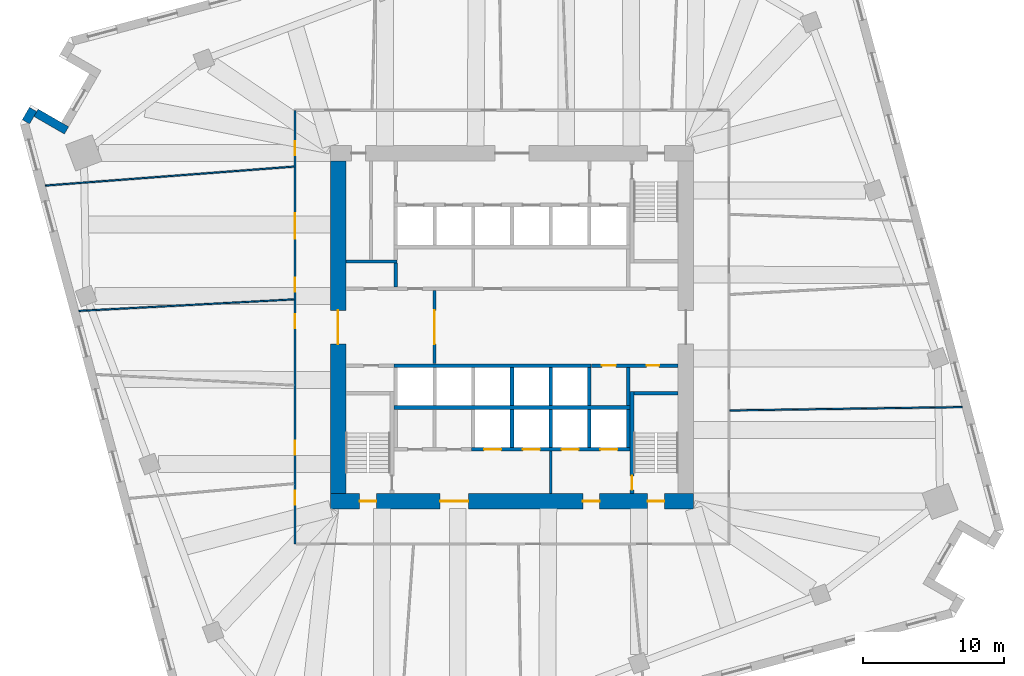
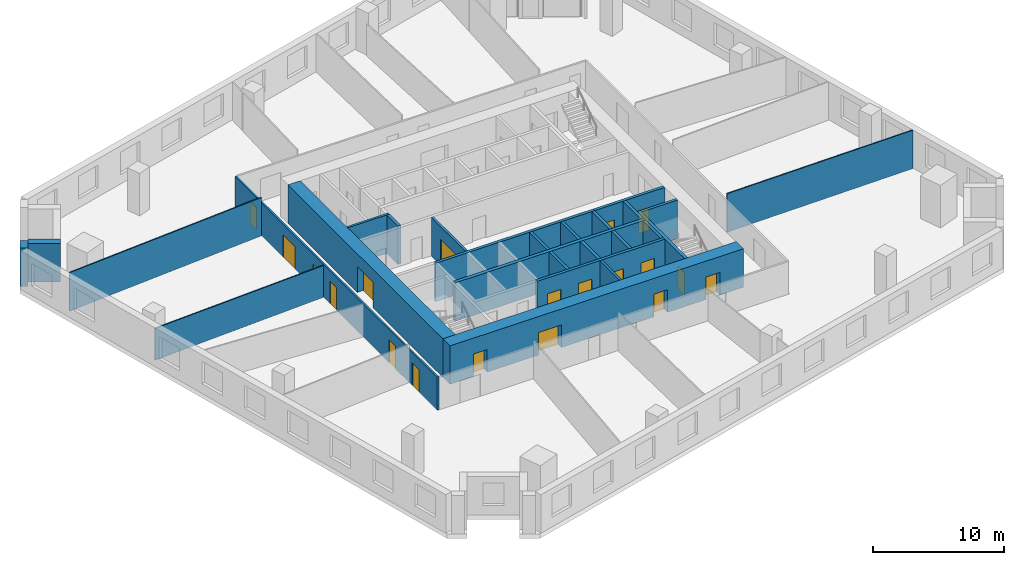
# One storey, part 7 of 13: 26 walls, 19 doors, 19 openings.
"""IFC4 building model written with IfcOpenShell, lengths in metres."""

from ifc_helpers import new_model, si_unit, direction, frame, frame_2d, origin, place, context, subcontext, project, spatial, rectangle, extrude, material, layer, layer_set, type_object, element, fill, save


model = new_model("IFC4")

# Units and contexts
model_context = context("Model", 3, precision=1e-05, world=origin(), true_north=direction((0.0, 1.0)))
body_context = subcontext(model_context, "Body", "Model", "MODEL_VIEW")
ifc_project = project(units=[si_unit("LENGTHUNIT", "METRE"), si_unit("AREAUNIT", "SQUARE_METRE"), si_unit("VOLUMEUNIT", "CUBIC_METRE"), si_unit("PLANEANGLEUNIT", "RADIAN"), si_unit("MASSUNIT", "GRAM", prefix="KILO")], contexts=[model_context])

# Site, building, storey
site_placement = place(None, origin())
site = spatial("IfcSite", under=ifc_project, at=site_placement, CompositionType="ELEMENT")
building_placement = place(site_placement, origin())
building = spatial("IfcBuilding", under=site, at=building_placement, Name="Dilmun Exchange Tower", CompositionType="ELEMENT")
storey_placement = place(building_placement, frame((0.0, 0.0, 86.10009765625)))
storey = spatial("IfcBuildingStorey", under=building, at=storey_placement, Name="L19", CompositionType="ELEMENT", Elevation=86.10009765625)

# Wall
ifc_material_1 = material(Name="Concrete C40/50", Category="concrete")
ifc_layer_1 = layer(ifc_material_1, 0.199951171875)
ifc_layer_set_1 = layer_set([ifc_layer_1], Name="Concrete C40/50")
wall_type_1 = type_object("IfcWallType", Name="Core partition wall 200", PredefinedType="PARTITIONING", material=ifc_layer_set_1)
wall_1_placement = place(storey_placement, frame((2.75, -11.794921875, 0.0), z_axis=(0.0, 0.0, 1.0), x_axis=(0.0, 1.0, 0.0)))
element("IfcWall", 1, at=wall_1_placement, inside=storey, type_object=wall_type_1, Name="L19 core partition wall 01", PredefinedType="PARTITIONING", context=body_context, shape_type="SweptSolid", body=[
    extrude(rectangle(XDim=2.989990234375, YDim=0.199951171875, at=frame_2d((1.4951171875, 0.0))), origin(), (0.0, 0.0, 1.0), 3.579833984375),
])

# Wall, opening, door
wall_2_placement = place(storey_placement, frame((-5.5, -2.594970703125, 0.0), z_axis=(0.0, 0.0, 1.0), x_axis=(0.0, 1.0, 0.0)))
wall_2 = element("IfcWall", 2, at=wall_2_placement, inside=storey, type_object=wall_type_1, Name="L19 core partition wall 08", PredefinedType="PARTITIONING", context=body_context, shape_type="SweptSolid", body=[
    extrude(rectangle(XDim=5.18994140625, YDim=0.199951171875, at=frame_2d((2.594970703125, 0.0))), origin(), (0.0, 0.0, 1.0), 3.579833984375),
])
opening_1_placement = place(wall_2_placement, frame((1.39501953125, 0.0, 0.0)))
opening_1 = element("IfcOpeningElement", 3, at=opening_1_placement, cuts=wall_2, Name="Opening CD1", PredefinedType="OPENING", context=body_context, shape_type="SweptSolid", body=[
    extrude(rectangle(XDim=2.39990234375, YDim=2.39990234375, at=frame_2d((1.199951171875, 1.199951171875))), frame((0.0, 0.10986328125, 0.0), z_axis=(0.0, -1.0, 0.0), x_axis=(1.0, 0.0, 0.0)), (0.0, 0.0, 1.0), 0.219970703125),
])
ifc_material_2 = material(Name="Fire-rated steel door set", Category="steel")
door_type_1 = type_object("IfcDoorType", Name="Core lobby door 2400x2400", OperationType="DOUBLE_DOOR_DOUBLE_SWING", PredefinedType="DOOR", material=ifc_material_2)
door_1_placement = place(opening_1_placement, origin())
door_1 = element("IfcDoor", 4, at=door_1_placement, inside=storey, type_object=door_type_1, Name="L19 door Lift lobby east", OperationType="DOUBLE_DOOR_DOUBLE_SWING", OverallHeight=2.39990234375, OverallWidth=2.39990234375, PredefinedType="DOOR", context=body_context, shape_type="SweptSolid", body=[
    extrude(rectangle(XDim=2.39990234375, YDim=2.39990234375, at=frame_2d((1.199951171875, 1.199951171875))), frame((0.0, 0.02490234375, 0.0), z_axis=(0.0, -1.0, 0.0), x_axis=(1.0, 0.0, 0.0)), (0.0, 0.0, 1.0), 0.050048828125),
])
fill(opening_1, door_1)

# Walls
wall_3_placement = place(storey_placement, frame((-11.794921875, 4.675048828125, 0.0), z_axis=(0.0, 0.0, 1.0), x_axis=(1.0, 0.0, 0.0)))
element("IfcWall", 5, at=wall_3_placement, inside=storey, type_object=wall_type_1, Name="L19 core partition wall 13", PredefinedType="PARTITIONING", context=body_context, shape_type="SweptSolid", body=[
    extrude(rectangle(XDim=3.64501953125, YDim=0.199951171875, at=frame_2d((1.822509765625, 0.0))), origin(), (0.0, 0.0, 1.0), 3.579833984375),
])
ifc_layer_2 = layer(ifc_material_1, 0.25)
ifc_layer_set_2 = layer_set([ifc_layer_2], Name="Concrete C40/50")
wall_type_2 = type_object("IfcWallType", Name="Core partition wall 250", PredefinedType="PARTITIONING", material=ifc_layer_set_2)
wall_4_placement = place(storey_placement, frame((8.25, -5.544921875, 0.0), z_axis=(0.0, 0.0, 1.0), x_axis=(0.0, 1.0, 0.0)))
element("IfcWall", 6, at=wall_4_placement, inside=storey, type_object=wall_type_2, Name="L19 core partition wall 05", PredefinedType="PARTITIONING", context=body_context, shape_type="SweptSolid", body=[
    extrude(rectangle(XDim=2.68994140625, YDim=0.25, at=frame_2d((1.344970703125, 0.0))), origin(), (0.0, 0.0, 1.0), 3.579833984375),
])

# Wall, openings, doors
wall_5_placement = place(storey_placement, frame((5.6298828125, -2.72509765625, 0.0), z_axis=(0.0, 0.0, 1.0), x_axis=(1.0, 0.0, 0.0)))
wall_5 = element("IfcWall", 7, at=wall_5_placement, inside=storey, type_object=wall_type_2, Name="L19 core partition wall 07", PredefinedType="PARTITIONING", context=body_context, shape_type="SweptSolid", body=[
    extrude(rectangle(XDim=6.1650390625, YDim=0.25, at=frame_2d((3.08251953125, 0.0))), origin(), (0.0, 0.0, 1.0), 3.579833984375),
])
opening_2_placement = place(wall_5_placement, frame((0.7451171875, 0.0, 0.0)))
opening_2 = element("IfcOpeningElement", 8, at=opening_2_placement, cuts=wall_5, Name="Opening CD4", PredefinedType="OPENING", context=body_context, shape_type="SweptSolid", body=[
    extrude(rectangle(XDim=1.0, YDim=2.10009765625, at=frame_2d((0.5, 1.050048828125))), frame((0.0, 0.135009765625, 0.0), z_axis=(0.0, -1.0, 0.0), x_axis=(1.0, 0.0, 0.0)), (0.0, 0.0, 1.0), 0.27001953125),
])
opening_3_placement = place(wall_5_placement, frame((3.919921875, 0.0, 0.0)))
opening_3 = element("IfcOpeningElement", 9, at=opening_3_placement, cuts=wall_5, Name="Opening CD6", PredefinedType="OPENING", context=body_context, shape_type="SweptSolid", body=[
    extrude(rectangle(XDim=0.89990234375, YDim=2.10009765625, at=frame_2d((0.449951171875, 1.050048828125))), frame((0.0, 0.135009765625, 0.0), z_axis=(0.0, -1.0, 0.0), x_axis=(1.0, 0.0, 0.0)), (0.0, 0.0, 1.0), 0.27001953125),
])
door_type_2 = type_object("IfcDoorType", Name="Core room door 1000x2100", OperationType="SINGLE_SWING_LEFT", PredefinedType="DOOR", material=ifc_material_2)
door_2_placement = place(opening_2_placement, origin())
door_2 = element("IfcDoor", 10, at=door_2_placement, inside=storey, type_object=door_type_2, Name="L19 door Cleaners' store", OperationType="SINGLE_SWING_RIGHT", OverallHeight=2.10009765625, OverallWidth=1.0, PredefinedType="DOOR", context=body_context, shape_type="SweptSolid", body=[
    extrude(rectangle(XDim=1.0, YDim=2.10009765625, at=frame_2d((0.5, 1.050048828125))), frame((0.0, 0.02490234375, 0.0), z_axis=(0.0, -1.0, 0.0), x_axis=(1.0, 0.0, 0.0)), (0.0, 0.0, 1.0), 0.050048828125),
])
fill(opening_2, door_2)
door_type_3 = type_object("IfcDoorType", Name="Core room door 900x2100", OperationType="SINGLE_SWING_LEFT", PredefinedType="DOOR", material=ifc_material_2)
door_3_placement = place(opening_3_placement, origin())
door_3 = element("IfcDoor", 11, at=door_3_placement, inside=storey, type_object=door_type_3, Name="L19 door Comms riser", OperationType="SINGLE_SWING_RIGHT", OverallHeight=2.10009765625, OverallWidth=0.89990234375, PredefinedType="DOOR", context=body_context, shape_type="SweptSolid", body=[
    extrude(rectangle(XDim=0.89990234375, YDim=2.10009765625, at=frame_2d((0.449951171875, 1.050048828125))), frame((0.0, 0.02490234375, 0.0), z_axis=(0.0, -1.0, 0.0), x_axis=(1.0, 0.0, 0.0)), (0.0, 0.0, 1.0), 0.050048828125),
])
fill(opening_3, door_3)

# Wall
wall_6_placement = place(storey_placement, frame((-8.25, 2.85498046875, 0.0), z_axis=(0.0, 0.0, 1.0), x_axis=(0.0, 1.0, 0.0)))
element("IfcWall", 12, at=wall_6_placement, inside=storey, type_object=wall_type_2, Name="L19 core partition wall 10", PredefinedType="PARTITIONING", context=body_context, shape_type="SweptSolid", body=[
    extrude(rectangle(XDim=1.715087890625, YDim=0.25, at=frame_2d((0.857421875, 0.0))), origin(), (0.0, 0.0, 1.0), 3.579833984375),
])

# Wall, openings, doors
ifc_material_3 = material(Name="Concrete C80/95", Category="concrete")
ifc_layer_3 = layer(ifc_material_3, 1.10009765625)
ifc_layer_set_3 = layer_set([ifc_layer_3], Name="Concrete C80/95")
wall_type_3 = type_object("IfcWallType", Name="Core shear wall 1100 Concrete C80/95", PredefinedType="SHEAR", material=ifc_layer_set_3)
wall_7_placement = place(storey_placement, frame((-12.89990234375, -12.35009765625, 0.0), z_axis=(0.0, 0.0, 1.0), x_axis=(1.0, 0.0, 0.0)))
wall_7 = element("IfcWall", 13, at=wall_7_placement, inside=storey, type_object=wall_type_3, Name="L19 core shear wall S", PredefinedType="SHEAR", context=body_context, shape_type="SweptSolid", body=[
    extrude(rectangle(XDim=25.7998046875, YDim=1.10009765625, at=frame_2d((12.89990234375, 0.0))), origin(), (0.0, 0.0, 1.0), 3.579833984375),
])
opening_4_placement = place(wall_7_placement, frame((7.800048828125, 0.0, 0.0)))
opening_4 = element("IfcOpeningElement", 14, at=opening_4_placement, cuts=wall_7, Name="Opening CD2", PredefinedType="OPENING", context=body_context, shape_type="SweptSolid", body=[
    extrude(rectangle(XDim=2.0, YDim=2.10009765625, at=frame_2d((1.0, 1.050048828125))), frame((0.0, 0.56005859375, 0.0), z_axis=(0.0, -1.0, 0.0), x_axis=(1.0, 0.0, 0.0)), (0.0, 0.0, 1.0), 1.1201171875),
])
opening_5_placement = place(wall_7_placement, frame((17.925048828125, 0.0, 0.0)))
opening_5 = element("IfcOpeningElement", 15, at=opening_5_placement, cuts=wall_7, Name="Opening CD3", PredefinedType="OPENING", context=body_context, shape_type="SweptSolid", body=[
    extrude(rectangle(XDim=1.199951171875, YDim=2.10009765625, at=frame_2d((0.60009765625, 1.050048828125))), frame((0.0, 0.56005859375, 0.0), z_axis=(0.0, -1.0, 0.0), x_axis=(1.0, 0.0, 0.0)), (0.0, 0.0, 1.0), 1.1201171875),
])
opening_6_placement = place(wall_7_placement, frame((2.074951171875, 0.0, 0.0)))
opening_6 = element("IfcOpeningElement", 16, at=opening_6_placement, cuts=wall_7, Name="Opening CD3", PredefinedType="OPENING", context=body_context, shape_type="SweptSolid", body=[
    extrude(rectangle(XDim=1.199951171875, YDim=2.10009765625, at=frame_2d((0.60009765625, 1.050048828125))), frame((0.0, 0.56005859375, 0.0), z_axis=(0.0, -1.0, 0.0), x_axis=(1.0, 0.0, 0.0)), (0.0, 0.0, 1.0), 1.1201171875),
])
opening_7_placement = place(wall_7_placement, frame((22.52490234375, 0.0, 0.0)))
opening_7 = element("IfcOpeningElement", 17, at=opening_7_placement, cuts=wall_7, Name="Opening CD3", PredefinedType="OPENING", context=body_context, shape_type="SweptSolid", body=[
    extrude(rectangle(XDim=1.199951171875, YDim=2.10009765625, at=frame_2d((0.60009765625, 1.050048828125))), frame((0.0, 0.56005859375, 0.0), z_axis=(0.0, -1.0, 0.0), x_axis=(1.0, 0.0, 0.0)), (0.0, 0.0, 1.0), 1.1201171875),
])
door_type_4 = type_object("IfcDoorType", Name="Core service door 2000x2100", OperationType="DOUBLE_DOOR_DOUBLE_SWING", PredefinedType="DOOR", material=ifc_material_2)
door_4_placement = place(opening_4_placement, origin())
door_4 = element("IfcDoor", 18, at=door_4_placement, inside=storey, type_object=door_type_4, Name="L19 door South service lobby", OperationType="SINGLE_SWING_LEFT", OverallHeight=2.10009765625, OverallWidth=2.0, PredefinedType="DOOR", context=body_context, shape_type="SweptSolid", body=[
    extrude(rectangle(XDim=2.0, YDim=2.10009765625, at=frame_2d((1.0, 1.050048828125))), frame((0.0, 0.02490234375, 0.0), z_axis=(0.0, -1.0, 0.0), x_axis=(1.0, 0.0, 0.0)), (0.0, 0.0, 1.0), 0.050048828125),
])
fill(opening_4, door_4)
door_type_5 = type_object("IfcDoorType", Name="Stair exit door 1200x2100", OperationType="SINGLE_SWING_LEFT", PredefinedType="DOOR", material=ifc_material_2)
door_5_placement = place(opening_5_placement, origin())
door_5 = element("IfcDoor", 19, at=door_5_placement, inside=storey, type_object=door_type_5, Name="L19 door Fire-fighting lobby", OperationType="SINGLE_SWING_LEFT", OverallHeight=2.10009765625, OverallWidth=1.199951171875, PredefinedType="DOOR", context=body_context, shape_type="SweptSolid", body=[
    extrude(rectangle(XDim=1.199951171875, YDim=2.10009765625, at=frame_2d((0.60009765625, 1.050048828125))), frame((0.0, 0.02490234375, 0.0), z_axis=(0.0, -1.0, 0.0), x_axis=(1.0, 0.0, 0.0)), (0.0, 0.0, 1.0), 0.050048828125),
])
fill(opening_5, door_5)
door_6_placement = place(opening_6_placement, origin())
door_6 = element("IfcDoor", 20, at=door_6_placement, inside=storey, type_object=door_type_5, Name="L19 door Stair ST2", OperationType="SINGLE_SWING_LEFT", OverallHeight=2.10009765625, OverallWidth=1.199951171875, PredefinedType="DOOR", context=body_context, shape_type="SweptSolid", body=[
    extrude(rectangle(XDim=1.199951171875, YDim=2.10009765625, at=frame_2d((0.60009765625, 1.050048828125))), frame((0.0, 0.02490234375, 0.0), z_axis=(0.0, -1.0, 0.0), x_axis=(1.0, 0.0, 0.0)), (0.0, 0.0, 1.0), 0.050048828125),
])
fill(opening_6, door_6)
door_7_placement = place(opening_7_placement, origin())
door_7 = element("IfcDoor", 21, at=door_7_placement, inside=storey, type_object=door_type_5, Name="L19 door Stair ST3", OperationType="SINGLE_SWING_LEFT", OverallHeight=2.10009765625, OverallWidth=1.199951171875, PredefinedType="DOOR", context=body_context, shape_type="SweptSolid", body=[
    extrude(rectangle(XDim=1.199951171875, YDim=2.10009765625, at=frame_2d((0.60009765625, 1.050048828125))), frame((0.0, 0.02490234375, 0.0), z_axis=(0.0, -1.0, 0.0), x_axis=(1.0, 0.0, 0.0)), (0.0, 0.0, 1.0), 0.050048828125),
])
fill(opening_7, door_7)

# Wall, opening, door
wall_8_placement = place(storey_placement, frame((-12.35009765625, -11.800048828125, 0.0), z_axis=(0.0, 0.0, 1.0), x_axis=(0.0, 1.0, 0.0)))
wall_8 = element("IfcWall", 22, at=wall_8_placement, inside=storey, type_object=wall_type_3, Name="L19 core shear wall W", PredefinedType="SHEAR", context=body_context, shape_type="SweptSolid", body=[
    extrude(rectangle(XDim=23.60009765625, YDim=1.10009765625, at=frame_2d((11.800048828125, 0.0))), origin(), (0.0, 0.0, 1.0), 3.579833984375),
])
opening_8_placement = place(wall_8_placement, frame((10.60009765625, 0.0, 0.0)))
opening_8 = element("IfcOpeningElement", 23, at=opening_8_placement, cuts=wall_8, Name="Opening CD1", PredefinedType="OPENING", context=body_context, shape_type="SweptSolid", body=[
    extrude(rectangle(XDim=2.39990234375, YDim=2.39990234375, at=frame_2d((1.199951171875, 1.199951171875))), frame((0.0, 0.56005859375, 0.0), z_axis=(0.0, -1.0, 0.0), x_axis=(1.0, 0.0, 0.0)), (0.0, 0.0, 1.0), 1.1201171875),
])
door_8_placement = place(opening_8_placement, origin())
door_8 = element("IfcDoor", 24, at=door_8_placement, inside=storey, type_object=door_type_1, Name="L19 door Central lift lobby", OperationType="SINGLE_SWING_LEFT", OverallHeight=2.39990234375, OverallWidth=2.39990234375, PredefinedType="DOOR", context=body_context, shape_type="SweptSolid", body=[
    extrude(rectangle(XDim=2.39990234375, YDim=2.39990234375, at=frame_2d((1.199951171875, 1.199951171875))), frame((0.0, 0.02490234375, 0.0), z_axis=(0.0, -1.0, 0.0), x_axis=(1.0, 0.0, 0.0)), (0.0, 0.0, 1.0), 0.050048828125),
])
fill(opening_8, door_8)

# Wall, openings, doors
ifc_material_4 = material(Name="Corridor wall 150")
ifc_layer_4 = layer(ifc_material_4, 0.14990234375)
ifc_layer_set_4 = layer_set([ifc_layer_4], Name="Corridor wall 150")
wall_type_4 = type_object("IfcWallType", Name="Corridor wall 150", PredefinedType="PARTITIONING", material=ifc_layer_set_4)
wall_9_placement = place(storey_placement, frame((-15.39990234375, -15.39990234375, 0.0), z_axis=(0.0, 0.0, 1.0), x_axis=(0.0, 1.0, 0.0)))
wall_9 = element("IfcWall", 25, at=wall_9_placement, inside=storey, type_object=wall_type_4, Name="Corridor wall", PredefinedType="PARTITIONING", context=body_context, shape_type="SweptSolid", body=[
    extrude(rectangle(XDim=30.7998046875, YDim=0.14990234375, at=frame_2d((15.39990234375, 0.0))), origin(), (0.0, 0.0, 1.0), 3.079833984375),
])
opening_9_placement = place(wall_9_placement, frame((21.677001953125, 0.0, 0.0)))
opening_9 = element("IfcOpeningElement", 26, at=opening_9_placement, cuts=wall_9, Name="Opening TF18-D01", PredefinedType="OPENING", context=body_context, shape_type="SweptSolid", body=[
    extrude(rectangle(XDim=1.800048828125, YDim=2.10009765625, at=frame_2d((0.89990234375, 1.050048828125))), frame((0.0, 0.0849609375, 0.0), z_axis=(0.0, -1.0, 0.0), x_axis=(1.0, 0.0, 0.0)), (0.0, 0.0, 1.0), 0.169921875),
])
opening_10_placement = place(wall_9_placement, frame((17.927001953125, 0.0, 0.0)))
opening_10 = element("IfcOpeningElement", 27, at=opening_10_placement, cuts=wall_9, Name="Opening TF18-D02", PredefinedType="OPENING", context=body_context, shape_type="SweptSolid", body=[
    extrude(rectangle(XDim=1.0, YDim=2.10009765625, at=frame_2d((0.5, 1.050048828125))), frame((0.0, 0.0849609375, 0.0), z_axis=(0.0, -1.0, 0.0), x_axis=(1.0, 0.0, 0.0)), (0.0, 0.0, 1.0), 0.169921875),
])
opening_11_placement = place(wall_9_placement, frame((15.32177734375, 0.0, 0.0)))
opening_11 = element("IfcOpeningElement", 28, at=opening_11_placement, cuts=wall_9, Name="Opening TF18-D03", PredefinedType="OPENING", context=body_context, shape_type="SweptSolid", body=[
    extrude(rectangle(XDim=1.0, YDim=2.10009765625, at=frame_2d((0.5, 1.050048828125))), frame((0.0, 0.0849609375, 0.0), z_axis=(0.0, -1.0, 0.0), x_axis=(1.0, 0.0, 0.0)), (0.0, 0.0, 1.0), 0.169921875),
])
opening_12_placement = place(wall_9_placement, frame((6.34765625, 0.0, 0.0)))
opening_12 = element("IfcOpeningElement", 29, at=opening_12_placement, cuts=wall_9, Name="Opening TF18-D04", PredefinedType="OPENING", context=body_context, shape_type="SweptSolid", body=[
    extrude(rectangle(XDim=1.0, YDim=2.10009765625, at=frame_2d((0.5, 1.050048828125))), frame((0.0, 0.0849609375, 0.0), z_axis=(0.0, -1.0, 0.0), x_axis=(1.0, 0.0, 0.0)), (0.0, 0.0, 1.0), 0.169921875),
])
opening_13_placement = place(wall_9_placement, frame((27.605224609375, 0.0, 0.0)))
opening_13 = element("IfcOpeningElement", 30, at=opening_13_placement, cuts=wall_9, Name="Opening TF18-D06", PredefinedType="OPENING", context=body_context, shape_type="SweptSolid", body=[
    extrude(rectangle(XDim=1.0, YDim=2.10009765625, at=frame_2d((0.5, 1.050048828125))), frame((0.0, 0.0849609375, 0.0), z_axis=(0.0, -1.0, 0.0), x_axis=(1.0, 0.0, 0.0)), (0.0, 0.0, 1.0), 0.169921875),
])
opening_14_placement = place(wall_9_placement, frame((2.800048828125, 0.0, 0.0)))
opening_14 = element("IfcOpeningElement", 31, at=opening_14_placement, cuts=wall_9, Name="Opening TF18-D08", PredefinedType="OPENING", context=body_context, shape_type="SweptSolid", body=[
    extrude(rectangle(XDim=1.0, YDim=2.10009765625, at=frame_2d((0.5, 1.050048828125))), frame((0.0, 0.0849609375, 0.0), z_axis=(0.0, -1.0, 0.0), x_axis=(1.0, 0.0, 0.0)), (0.0, 0.0, 1.0), 0.169921875),
])
ifc_material_5 = material(Name="Fire door 1000 x 2100")
door_type_6 = type_object("IfcDoorType", Name="Fire door 1000 x 2100", OperationType="NOTDEFINED", PredefinedType="DOOR", material=ifc_material_5)
door_9_placement = place(opening_10_placement, origin())
door_9 = element("IfcDoor", 32, at=door_9_placement, inside=storey, type_object=door_type_6, Name="Door TF18-D02", OperationType="SINGLE_SWING_RIGHT", OverallHeight=2.10009765625, OverallWidth=1.0, PredefinedType="DOOR", context=body_context, shape_type="SweptSolid", body=[
    extrude(rectangle(XDim=1.0, YDim=2.10009765625, at=frame_2d((0.5, 1.050048828125))), frame((0.0, 0.02490234375, 0.0), z_axis=(0.0, -1.0, 0.0), x_axis=(1.0, 0.0, 0.0)), (0.0, 0.0, 1.0), 0.050048828125),
])
fill(opening_10, door_9)
door_10_placement = place(opening_11_placement, origin())
door_10 = element("IfcDoor", 33, at=door_10_placement, inside=storey, type_object=door_type_6, Name="Door TF18-D03", OperationType="SINGLE_SWING_LEFT", OverallHeight=2.10009765625, OverallWidth=1.0, PredefinedType="DOOR", context=body_context, shape_type="SweptSolid", body=[
    extrude(rectangle(XDim=1.0, YDim=2.10009765625, at=frame_2d((0.5, 1.050048828125))), frame((0.0, 0.02490234375, 0.0), z_axis=(0.0, -1.0, 0.0), x_axis=(1.0, 0.0, 0.0)), (0.0, 0.0, 1.0), 0.050048828125),
])
fill(opening_11, door_10)
door_11_placement = place(opening_12_placement, origin())
door_11 = element("IfcDoor", 34, at=door_11_placement, inside=storey, type_object=door_type_6, Name="Door TF18-D04", OperationType="SINGLE_SWING_RIGHT", OverallHeight=2.10009765625, OverallWidth=1.0, PredefinedType="DOOR", context=body_context, shape_type="SweptSolid", body=[
    extrude(rectangle(XDim=1.0, YDim=2.10009765625, at=frame_2d((0.5, 1.050048828125))), frame((0.0, 0.02490234375, 0.0), z_axis=(0.0, -1.0, 0.0), x_axis=(1.0, 0.0, 0.0)), (0.0, 0.0, 1.0), 0.050048828125),
])
fill(opening_12, door_11)
door_12_placement = place(opening_13_placement, origin())
door_12 = element("IfcDoor", 35, at=door_12_placement, inside=storey, type_object=door_type_6, Name="Door TF18-D06", OperationType="SINGLE_SWING_RIGHT", OverallHeight=2.10009765625, OverallWidth=1.0, PredefinedType="DOOR", context=body_context, shape_type="SweptSolid", body=[
    extrude(rectangle(XDim=1.0, YDim=2.10009765625, at=frame_2d((0.5, 1.050048828125))), frame((0.0, 0.02490234375, 0.0), z_axis=(0.0, -1.0, 0.0), x_axis=(1.0, 0.0, 0.0)), (0.0, 0.0, 1.0), 0.050048828125),
])
fill(opening_13, door_12)
door_13_placement = place(opening_14_placement, origin())
door_13 = element("IfcDoor", 36, at=door_13_placement, inside=storey, type_object=door_type_6, Name="Door TF18-D08", OperationType="SINGLE_SWING_LEFT", OverallHeight=2.10009765625, OverallWidth=1.0, PredefinedType="DOOR", context=body_context, shape_type="SweptSolid", body=[
    extrude(rectangle(XDim=1.0, YDim=2.10009765625, at=frame_2d((0.5, 1.050048828125))), frame((0.0, 0.02490234375, 0.0), z_axis=(0.0, -1.0, 0.0), x_axis=(1.0, 0.0, 0.0)), (0.0, 0.0, 1.0), 0.050048828125),
])
fill(opening_14, door_13)
ifc_material_6 = material(Name="Fire door pair 1800 x 2100")
door_type_7 = type_object("IfcDoorType", Name="Fire door pair 1800 x 2100", OperationType="NOTDEFINED", PredefinedType="DOOR", material=ifc_material_6)
door_14_placement = place(opening_9_placement, origin())
door_14 = element("IfcDoor", 37, at=door_14_placement, inside=storey, type_object=door_type_7, Name="Door TF18-D01", OperationType="DOUBLE_DOOR_SINGLE_SWING", OverallHeight=2.10009765625, OverallWidth=1.800048828125, PredefinedType="DOOR", context=body_context, shape_type="SweptSolid", body=[
    extrude(rectangle(XDim=1.800048828125, YDim=2.10009765625, at=frame_2d((0.89990234375, 1.050048828125))), frame((0.0, 0.02490234375, 0.0), z_axis=(0.0, -1.0, 0.0), x_axis=(1.0, 0.0, 0.0)), (0.0, 0.0, 1.0), 0.050048828125),
])
fill(opening_9, door_14)

# Walls
ifc_layer_5 = layer(ifc_material_1, 0.300048828125)
ifc_layer_set_5 = layer_set([ifc_layer_5], Name="Concrete C40/50")
wall_type_5 = type_object("IfcWallType", Name="Lift shaft shared wall 300", PredefinedType="SOLIDWALL", material=ifc_layer_set_5)
wall_10_placement = place(storey_placement, frame((-8.375, -5.699951171875, 0.0), z_axis=(0.0, 0.0, 1.0), x_axis=(1.0, 0.0, 0.0)))
element("IfcWall", 38, at=wall_10_placement, inside=storey, type_object=wall_type_5, Name="L19 lift shaft rear wall S", PredefinedType="SOLIDWALL", context=body_context, shape_type="SweptSolid", body=[
    extrude(rectangle(XDim=16.75, YDim=0.300048828125, at=frame_2d((8.375, 0.0))), origin(), (0.0, 0.0, 1.0), 3.579833984375),
])
ifc_layer_6 = layer(ifc_material_1, 0.25)
ifc_layer_set_6 = layer_set([ifc_layer_6], Name="Concrete C40/50")
wall_type_6 = type_object("IfcWallType", Name="Lift shaft wall 250", PredefinedType="SOLIDWALL", material=ifc_layer_set_6)
wall_11_placement = place(storey_placement, frame((-8.375, -2.72509765625, 0.0), z_axis=(0.0, 0.0, 1.0), x_axis=(1.0, 0.0, 0.0)))
element("IfcWall", 39, at=wall_11_placement, inside=storey, type_object=wall_type_6, Name="L19 lift shaft front wall S1", PredefinedType="SOLIDWALL", context=body_context, shape_type="SweptSolid", body=[
    extrude(rectangle(XDim=14.0, YDim=0.25, at=frame_2d((7.0, 0.0))), origin(), (0.0, 0.0, 1.0), 3.579833984375),
])
for number, where, z_axis, x_axis, name in (
    (40, (0.0, -5.550048828125, 0.0), (0.0, 0.0, 1.0), (0.0, 1.0, 0.0), "L19 lift shaft divider S13"),
    (41, (2.75, -5.550048828125, 0.0), (0.0, 0.0, 1.0), (0.0, 1.0, 0.0), "L19 lift shaft divider S14"),
    (42, (5.5, -5.550048828125, 0.0), (0.0, 0.0, 1.0), (0.0, 1.0, 0.0), "L19 lift shaft divider S15"),
):
    element("IfcWall", number, at=place(storey_placement, frame(where, z_axis=z_axis, x_axis=x_axis)), inside=storey, type_object=wall_type_6, Name=name, PredefinedType="SOLIDWALL", context=body_context, shape_type="SweptSolid", body=[
        extrude(rectangle(XDim=2.699951171875, YDim=0.25, at=frame_2d((1.35009765625, 0.0))), origin(), (0.0, 0.0, 1.0), 3.579833984375),
    ])

# Wall, openings, doors
wall_12_placement = place(storey_placement, frame((-2.875, -8.675048828125, 0.0), z_axis=(0.0, 0.0, 1.0), x_axis=(1.0, 0.0, 0.0)))
wall_12 = element("IfcWall", 43, at=wall_12_placement, inside=storey, type_object=wall_type_6, Name="L19 lift shaft front wall S2", PredefinedType="SOLIDWALL", context=body_context, shape_type="SweptSolid", body=[
    extrude(rectangle(XDim=11.25, YDim=0.25, at=frame_2d((5.625, 0.0))), origin(), (0.0, 0.0, 1.0), 3.579833984375),
])
opening_15_placement = place(wall_12_placement, frame((0.89990234375, 0.0, 0.0)))
opening_15 = element("IfcOpeningElement", 44, at=opening_15_placement, cuts=wall_12, Name="Opening LD", PredefinedType="OPENING", context=body_context, shape_type="SweptSolid", body=[
    extrude(rectangle(XDim=1.199951171875, YDim=2.10009765625, at=frame_2d((0.60009765625, 1.050048828125))), frame((0.0, 0.135009765625, 0.0), z_axis=(0.0, -1.0, 0.0), x_axis=(1.0, 0.0, 0.0)), (0.0, 0.0, 1.0), 0.27001953125),
])
opening_16_placement = place(wall_12_placement, frame((3.64990234375, 0.0, 0.0)))
opening_16 = element("IfcOpeningElement", 45, at=opening_16_placement, cuts=wall_12, Name="Opening LD", PredefinedType="OPENING", context=body_context, shape_type="SweptSolid", body=[
    extrude(rectangle(XDim=1.199951171875, YDim=2.10009765625, at=frame_2d((0.60009765625, 1.050048828125))), frame((0.0, 0.135009765625, 0.0), z_axis=(0.0, -1.0, 0.0), x_axis=(1.0, 0.0, 0.0)), (0.0, 0.0, 1.0), 0.27001953125),
])
opening_17_placement = place(wall_12_placement, frame((6.39990234375, 0.0, 0.0)))
opening_17 = element("IfcOpeningElement", 46, at=opening_17_placement, cuts=wall_12, Name="Opening LD", PredefinedType="OPENING", context=body_context, shape_type="SweptSolid", body=[
    extrude(rectangle(XDim=1.199951171875, YDim=2.10009765625, at=frame_2d((0.60009765625, 1.050048828125))), frame((0.0, 0.135009765625, 0.0), z_axis=(0.0, -1.0, 0.0), x_axis=(1.0, 0.0, 0.0)), (0.0, 0.0, 1.0), 0.27001953125),
])
opening_18_placement = place(wall_12_placement, frame((9.14990234375, 0.0, 0.0)))
opening_18 = element("IfcOpeningElement", 47, at=opening_18_placement, cuts=wall_12, Name="Opening LD", PredefinedType="OPENING", context=body_context, shape_type="SweptSolid", body=[
    extrude(rectangle(XDim=1.199951171875, YDim=2.10009765625, at=frame_2d((0.60009765625, 1.050048828125))), frame((0.0, 0.135009765625, 0.0), z_axis=(0.0, -1.0, 0.0), x_axis=(1.0, 0.0, 0.0)), (0.0, 0.0, 1.0), 0.27001953125),
])
door_type_8 = type_object("IfcDoorType", Name="Lift landing door 1200x2100", OperationType="DOUBLE_DOOR_SLIDING", PredefinedType="DOOR", material=ifc_material_2)
door_15_placement = place(opening_15_placement, origin())
door_15 = element("IfcDoor", 48, at=door_15_placement, inside=storey, type_object=door_type_8, Name="L19 landing door SV1", OperationType="DOUBLE_DOOR_SLIDING", OverallHeight=2.10009765625, OverallWidth=1.199951171875, PredefinedType="DOOR", context=body_context, shape_type="SweptSolid", body=[
    extrude(rectangle(XDim=1.199951171875, YDim=2.10009765625, at=frame_2d((0.60009765625, 1.050048828125))), frame((0.0, 0.02490234375, 0.0), z_axis=(0.0, -1.0, 0.0), x_axis=(1.0, 0.0, 0.0)), (0.0, 0.0, 1.0), 0.050048828125),
])
fill(opening_15, door_15)
door_16_placement = place(opening_16_placement, origin())
door_16 = element("IfcDoor", 49, at=door_16_placement, inside=storey, type_object=door_type_8, Name="L19 landing door SV2", OperationType="DOUBLE_DOOR_SLIDING", OverallHeight=2.10009765625, OverallWidth=1.199951171875, PredefinedType="DOOR", context=body_context, shape_type="SweptSolid", body=[
    extrude(rectangle(XDim=1.199951171875, YDim=2.10009765625, at=frame_2d((0.60009765625, 1.050048828125))), frame((0.0, 0.02490234375, 0.0), z_axis=(0.0, -1.0, 0.0), x_axis=(1.0, 0.0, 0.0)), (0.0, 0.0, 1.0), 0.050048828125),
])
fill(opening_16, door_16)
door_17_placement = place(opening_17_placement, origin())
door_17 = element("IfcDoor", 50, at=door_17_placement, inside=storey, type_object=door_type_8, Name="L19 landing door FF1", OperationType="DOUBLE_DOOR_SLIDING", OverallHeight=2.10009765625, OverallWidth=1.199951171875, PredefinedType="DOOR", context=body_context, shape_type="SweptSolid", body=[
    extrude(rectangle(XDim=1.199951171875, YDim=2.10009765625, at=frame_2d((0.60009765625, 1.050048828125))), frame((0.0, 0.02490234375, 0.0), z_axis=(0.0, -1.0, 0.0), x_axis=(1.0, 0.0, 0.0)), (0.0, 0.0, 1.0), 0.050048828125),
])
fill(opening_17, door_17)
door_18_placement = place(opening_18_placement, origin())
door_18 = element("IfcDoor", 51, at=door_18_placement, inside=storey, type_object=door_type_8, Name="L19 landing door FF2", OperationType="DOUBLE_DOOR_SLIDING", OverallHeight=2.10009765625, OverallWidth=1.199951171875, PredefinedType="DOOR", context=body_context, shape_type="SweptSolid", body=[
    extrude(rectangle(XDim=1.199951171875, YDim=2.10009765625, at=frame_2d((0.60009765625, 1.050048828125))), frame((0.0, 0.02490234375, 0.0), z_axis=(0.0, -1.0, 0.0), x_axis=(1.0, 0.0, 0.0)), (0.0, 0.0, 1.0), 0.050048828125),
])
fill(opening_18, door_18)

# Walls
for number, where, z_axis, x_axis, name in (
    (52, (0.0, -8.550048828125, 0.0), (0.0, 0.0, 1.0), (0.0, 1.0, 0.0), "L19 lift shaft divider S23"),
    (53, (2.75, -8.550048828125, 0.0), (0.0, 0.0, 1.0), (0.0, 1.0, 0.0), "L19 lift shaft divider S24"),
    (54, (5.5, -8.550048828125, 0.0), (0.0, 0.0, 1.0), (0.0, 1.0, 0.0), "L19 lift shaft divider S25"),
    (55, (8.25, -8.550048828125, 0.0), (0.0, 0.0, 1.0), (0.0, 1.0, 0.0), "L19 lift shaft divider S26"),
):
    element("IfcWall", number, at=place(storey_placement, frame(where, z_axis=z_axis, x_axis=x_axis)), inside=storey, type_object=wall_type_6, Name=name, PredefinedType="SOLIDWALL", context=body_context, shape_type="SweptSolid", body=[
        extrude(rectangle(XDim=2.699951171875, YDim=0.25, at=frame_2d((1.35009765625, 0.0))), origin(), (0.0, 0.0, 1.0), 3.579833984375),
    ])
ifc_material_7 = material(Name="Partition 100")
ifc_layer_7 = layer(ifc_material_7, 0.10009765625)
ifc_layer_set_7 = layer_set([ifc_layer_7], Name="Partition 100")
wall_type_7 = type_object("IfcWallType", Name="Partition 100", PredefinedType="PARTITIONING", material=ifc_layer_set_7)
wall_13_placement = place(storey_placement, frame((-33.129150390625, 10.0546875, 0.0), z_axis=(0.0, 0.0, 1.0), x_axis=(0.997098857085, 0.076117469739, 0.0)))
element("IfcWall", 56, at=wall_13_placement, inside=storey, type_object=wall_type_7, Name="Partition", PredefinedType="PARTITIONING", context=body_context, shape_type="SweptSolid", body=[
    extrude(rectangle(XDim=17.70166015625, YDim=0.10009765625, at=frame_2d((8.850830078125, 0.0))), origin(), (0.0, 0.0, 1.0), 3.579833984375),
])
wall_14_placement = place(storey_placement, frame((-30.744384765625, 1.155029296875, 0.0), z_axis=(0.0, 0.0, 1.0), x_axis=(0.998561238881, 0.053623243142, 0.0)))
element("IfcWall", 57, at=wall_14_placement, inside=storey, type_object=wall_type_7, Name="Partition", PredefinedType="PARTITIONING", context=body_context, shape_type="SweptSolid", body=[
    extrude(rectangle(XDim=15.28857421875, YDim=0.10009765625, at=frame_2d((7.644287109375, 0.0))), origin(), (0.0, 0.0, 1.0), 2.9599609375),
])
wall_15_placement = place(storey_placement, frame((15.4755859375, -5.910888671875, 0.0), z_axis=(0.0, 0.0, 1.0), x_axis=(0.999893970636, 0.014561850324, 0.0)))
element("IfcWall", 58, at=wall_15_placement, inside=storey, type_object=wall_type_7, Name="Partition", PredefinedType="PARTITIONING", context=body_context, shape_type="SweptSolid", body=[
    extrude(rectangle(XDim=16.480712890625, YDim=0.10009765625, at=frame_2d((8.240234375, 0.0))), origin(), (0.0, 0.0, 1.0), 3.579833984375),
])
ifc_material_8 = material(Name="Precast concrete C50/60", Category="concrete")
ifc_layer_8 = layer(ifc_material_8, 0.60009765625)
ifc_layer_set_8 = layer_set([ifc_layer_8], Name="Precast concrete C50/60")
wall_type_8 = type_object("IfcWallType", Name="Precast stone-clad wall 600", PredefinedType="STANDARD", material=ifc_layer_set_8)
wall_16_placement = place(storey_placement, frame((-31.628173828125, 13.9716796875, 0.0), z_axis=(0.0, 0.0, 1.0), x_axis=(-0.866022959057, 0.500004234368, 0.0)))
element("IfcWall", 59, at=wall_16_placement, inside=storey, type_object=wall_type_8, Name="Facade wall L19-07", PredefinedType="STANDARD", context=body_context, shape_type="SweptSolid", body=[
    extrude(rectangle(XDim=2.5, YDim=0.60009765625, at=frame_2d((1.25, 0.0))), origin(), (0.0, 0.0, 1.0), 3.579833984375),
])
wall_17_placement = place(storey_placement, frame((-34.0029296875, 15.458251953125, 0.0), z_axis=(0.0, 0.0, 1.0), x_axis=(-0.500189113229, -0.865916191676, 0.0)))
element("IfcWall", 60, at=wall_17_placement, inside=storey, type_object=wall_type_8, Name="Facade wall L19-08", PredefinedType="STANDARD", context=body_context, shape_type="SweptSolid", body=[
    extrude(rectangle(XDim=1.01123046875, YDim=0.60009765625, at=frame_2d((0.505615234375, 0.0))), origin(), (0.0, 0.0, 1.0), 3.579833984375),
])
ifc_layer_9 = layer(ifc_material_1, 0.25)
ifc_layer_set_9 = layer_set([ifc_layer_9], Name="Concrete C40/50")
wall_type_9 = type_object("IfcWallType", Name="Stair end wall 250", PredefinedType="SOLIDWALL", material=ifc_layer_set_9)
wall_18_placement = place(storey_placement, frame((8.64990234375, -4.675048828125, 0.0), z_axis=(0.0, 0.0, 1.0), x_axis=(1.0, 0.0, 0.0)))
element("IfcWall", 61, at=wall_18_placement, inside=storey, type_object=wall_type_9, Name="L19 ST3 far wall", PredefinedType="SOLIDWALL", context=body_context, shape_type="SweptSolid", body=[
    extrude(rectangle(XDim=3.150146484375, YDim=0.25, at=frame_2d((1.5751953125, 0.0))), origin(), (0.0, 0.0, 1.0), 3.579833984375),
])

# Wall, opening, door
ifc_layer_10 = layer(ifc_material_1, 0.27490234375)
ifc_layer_set_10 = layer_set([ifc_layer_10], Name="Concrete C40/50")
wall_type_10 = type_object("IfcWallType", Name="Stair wall 275", PredefinedType="SOLIDWALL", material=ifc_layer_set_10)
wall_19_placement = place(storey_placement, frame((8.512451171875, -4.550048828125, 0.0), z_axis=(0.0, 0.0, 1.0), x_axis=(0.0, -1.0, 0.0)))
wall_19 = element("IfcWall", 62, at=wall_19_placement, inside=storey, type_object=wall_type_10, Name="L19 ST3 wall to lift block", PredefinedType="SOLIDWALL", context=body_context, shape_type="SweptSolid", body=[
    extrude(rectangle(XDim=7.25, YDim=0.27490234375, at=frame_2d((3.625, 0.0))), origin(), (0.0, 0.0, 1.0), 3.579833984375),
])
opening_19_placement = place(wall_19_placement, frame((6.0, 0.0, 0.0)))
opening_19 = element("IfcOpeningElement", 63, at=opening_19_placement, cuts=wall_19, Name="Opening CD4", PredefinedType="OPENING", context=body_context, shape_type="SweptSolid", body=[
    extrude(rectangle(XDim=1.0, YDim=2.10009765625, at=frame_2d((0.5, 1.050048828125))), frame((0.0, 0.1474609375, 0.0), z_axis=(0.0, -1.0, 0.0), x_axis=(1.0, 0.0, 0.0)), (0.0, 0.0, 1.0), 0.294921875),
])
door_19_placement = place(opening_19_placement, origin())
door_19 = element("IfcDoor", 64, at=door_19_placement, inside=storey, type_object=door_type_2, Name="L19 door ST3 from lobby", OperationType="SINGLE_SWING_LEFT", OverallHeight=2.10009765625, OverallWidth=1.0, PredefinedType="DOOR", context=body_context, shape_type="SweptSolid", body=[
    extrude(rectangle(XDim=1.0, YDim=2.10009765625, at=frame_2d((0.5, 1.050048828125))), frame((0.0, 0.02490234375, 0.0), z_axis=(0.0, -1.0, 0.0), x_axis=(1.0, 0.0, 0.0)), (0.0, 0.0, 1.0), 0.050048828125),
])
fill(opening_19, door_19)

save(model, "model.ifc")
